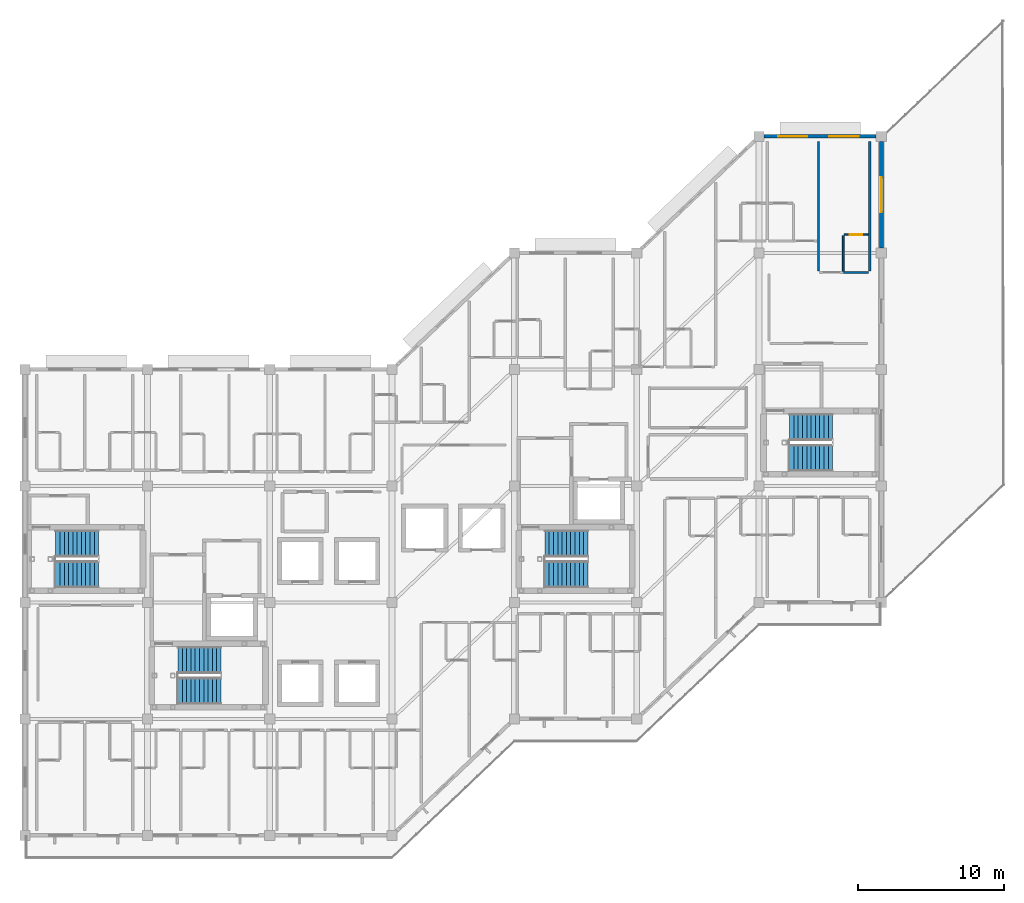
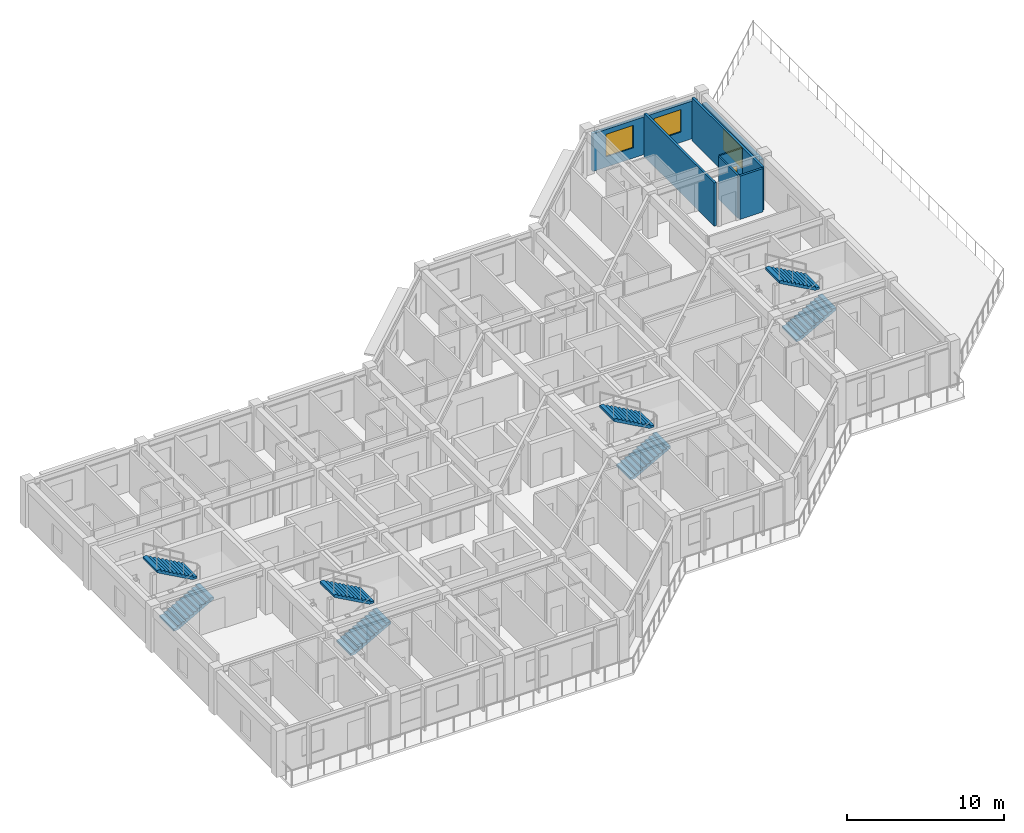
# One storey, part 13 of 16: 8 stair flights, 7 walls, 3 windows, 1 door, 4 openings, 4 elements without a shape of their own.
"""IFC4 building model written with IfcOpenShell, lengths in metres."""

from ifc_helpers import new_model, si_unit, direction, frame, frame_2d, origin, place, context, subcontext, project, spatial, polyline, rectangle, outline, extrude, material, layer, layer_set, type_object, element, fill, aggregate, save


model = new_model("IFC4")

# Units and contexts
model_context = context("Model", 3, precision=1e-05, world=origin(), true_north=direction((0.0, 1.0)))
body_context = subcontext(model_context, "Body", "Model", "MODEL_VIEW")
ifc_project = project(units=[si_unit("LENGTHUNIT", "METRE"), si_unit("AREAUNIT", "SQUARE_METRE"), si_unit("VOLUMEUNIT", "CUBIC_METRE"), si_unit("PLANEANGLEUNIT", "RADIAN"), si_unit("MASSUNIT", "GRAM", prefix="KILO")], contexts=[model_context])

# Site, building, storey
site_placement = place(None, origin())
site = spatial("IfcSite", under=ifc_project, at=site_placement, CompositionType="ELEMENT")
building_placement = place(site_placement, origin())
building = spatial("IfcBuilding", under=site, at=building_placement, Name="Naruveol Harbour Congress Hotel", CompositionType="ELEMENT")
storey_placement = place(building_placement, frame((0.0, 0.0, 28.800048828125)))
storey = spatial("IfcBuildingStorey", under=building, at=storey_placement, Name="L06", CompositionType="ELEMENT", Elevation=28.800048828125)

# Wall, opening, window
ifc_material_1 = material(Name="Precast concrete C40/50", Category="concrete")
ifc_layer_1 = layer(ifc_material_1, 0.280029296875)
ifc_layer_set_1 = layer_set([ifc_layer_1], Name="Precast concrete C40/50")
wall_type_1 = type_object("IfcWallType", Name="ARCHITECTURAL PRECAST FACADE WALL 280", PredefinedType="SOLIDWALL", material=ifc_layer_set_1)
wall_1_placement = place(storey_placement, frame((176.39990234375, 47.64990234375, 0.0), z_axis=(0.0, 0.0, 1.0), x_axis=(0.0, -1.0, 0.0)))
wall_1 = element("IfcWall", 1, at=wall_1_placement, inside=storey, type_object=wall_type_1, Name="Hotel east gable wall L06 EW-280", PredefinedType="SOLIDWALL", context=body_context, shape_type="SweptSolid", body=[
    extrude(rectangle(XDim=7.2998046875, YDim=0.280029296875, at=frame_2d((3.64990234375, 0.0))), origin(), (0.0, 0.0, 1.0), 2.699951171875),
])
opening_1_placement = place(wall_1_placement, frame((2.449951171875, 0.0, 0.5)))
opening_1 = element("IfcOpeningElement", 2, at=opening_1_placement, cuts=wall_1, Name="Opening W-07", PredefinedType="OPENING", context=body_context, shape_type="SweptSolid", body=[
    extrude(rectangle(XDim=2.39990234375, YDim=1.64990234375, at=frame_2d((1.199951171875, 0.824951171875))), frame((0.0, 0.14990234375, 0.0), z_axis=(0.0, -1.0, 0.0), x_axis=(1.0, 0.0, 0.0)), (0.0, 0.0, 1.0), 0.300048828125),
])
ifc_material_2 = material(Name="Low-E Triple Glazing in Thermal Aluminium", Category="aluminium")
window_type_1 = type_object("IfcWindowType", Name="CORNER SUITE WINDOW 2400X1650", PartitioningType="DOUBLE_PANEL_VERTICAL", PredefinedType="WINDOW", material=ifc_material_2)
window_1_placement = place(opening_1_placement, origin())
window_1 = element("IfcWindow", 3, at=window_1_placement, inside=storey, type_object=window_type_1, Name="Window W-07 #373", OverallHeight=1.64990234375, OverallWidth=2.39990234375, PartitioningType="DOUBLE_PANEL_VERTICAL", PredefinedType="WINDOW", context=body_context, shape_type="SweptSolid", body=[
    extrude(rectangle(XDim=2.39990234375, YDim=1.64990234375, at=frame_2d((1.199951171875, 0.824951171875))), frame((0.0, 0.030029296875, 0.0), z_axis=(0.0, -1.0, 0.0), x_axis=(1.0, 0.0, 0.0)), (0.0, 0.0, 1.0), 0.06005859375),
])
fill(opening_1, window_1)

# Wall
ifc_material_3 = material(Name="Moisture-Resistant Gypsum Partition", Category="gypsum")
ifc_layer_2 = layer(ifc_material_3, 0.114990234375)
ifc_layer_set_2 = layer_set([ifc_layer_2], Name="Moisture-Resistant Gypsum Partition")
wall_type_2 = type_object("IfcWallType", Name="BATHROOM MOISTURE PARTITION WALL 115", PredefinedType="PARTITIONING", material=ifc_layer_set_2)
wall_2_placement = place(storey_placement, frame((173.7900390625, 38.75, 0.0), z_axis=(0.0, 0.0, 1.0), x_axis=(0.0, 1.0, 0.0)))
element("IfcWall", 4, at=wall_2_placement, inside=storey, type_object=wall_type_2, Name="Bathroom west wall 0786 PW-115", PredefinedType="PARTITIONING", context=body_context, shape_type="SweptSolid", body=[
    extrude(rectangle(XDim=2.449951171875, YDim=0.114990234375, at=frame_2d((1.22509765625, 0.0))), origin(), (0.0, 0.0, 1.0), 3.364990234375),
])

# Wall, opening, door
wall_3_placement = place(storey_placement, frame((173.85009765625, 41.260009765625, 0.0), z_axis=(0.0, 0.0, 1.0), x_axis=(1.0, 0.0, 0.0)))
wall_3 = element("IfcWall", 5, at=wall_3_placement, inside=storey, type_object=wall_type_2, Name="Bathroom north wall 0786 PW-115", PredefinedType="PARTITIONING", context=body_context, shape_type="SweptSolid", body=[
    extrude(rectangle(XDim=1.64990234375, YDim=0.114990234375, at=frame_2d((0.824951171875, 0.0))), origin(), (0.0, 0.0, 1.0), 3.364990234375),
])
opening_2_placement = place(wall_3_placement, frame((0.39501953125, 0.0, 0.0)))
opening_2 = element("IfcOpeningElement", 6, at=opening_2_placement, cuts=wall_3, Name="Opening BD-RM0786", PredefinedType="OPENING", context=body_context, shape_type="SweptSolid", body=[
    extrude(rectangle(XDim=0.860107421875, YDim=2.1201171875, at=frame_2d((0.43017578125, 1.06005859375))), frame((0.0, 0.0673828125, 0.0), z_axis=(0.0, -1.0, 0.0), x_axis=(1.0, 0.0, 0.0)), (0.0, 0.0, 1.0), 0.135009765625),
])
ifc_material_4 = material(Name="Timber & Steel Acoustic Leaf", Category="steel")
door_type = type_object("IfcDoorType", Name="GUEST BATHROOM DOOR 860X2120", OperationType="NOTDEFINED", PredefinedType="DOOR", material=ifc_material_4)
door_placement = place(opening_2_placement, origin())
door = element("IfcDoor", 7, at=door_placement, inside=storey, type_object=door_type, Name="Bathroom Door 0786", OperationType="SINGLE_SWING_RIGHT", OverallHeight=2.1201171875, OverallWidth=0.860107421875, PredefinedType="DOOR", context=body_context, shape_type="SweptSolid", body=[
    extrude(rectangle(XDim=0.860107421875, YDim=2.1201171875, at=frame_2d((0.43017578125, 1.06005859375))), frame((0.0, 0.02490234375, 0.0), z_axis=(0.0, -1.0, 0.0), x_axis=(1.0, 0.0, 0.0)), (0.0, 0.0, 1.0), 0.050048828125),
])
fill(opening_2, door)

# Walls
ifc_material_5 = material(Name="Autoclaved Aerated Concrete Block", Category="concrete")
ifc_layer_3 = layer(ifc_material_5, 0.159912109375)
ifc_layer_set_3 = layer_set([ifc_layer_3], Name="Autoclaved Aerated Concrete Block")
wall_type_3 = type_object("IfcWallType", Name="HOTEL PARTY AND CORRIDOR WALL 160 EI60", PredefinedType="PARTITIONING", material=ifc_layer_set_3)
wall_4_placement = place(storey_placement, frame((173.800048828125, 38.659912109375, 0.0), z_axis=(0.0, 0.0, 1.0), x_axis=(1.0, 0.0, 0.0)))
element("IfcWall", 8, at=wall_4_placement, inside=storey, type_object=wall_type_3, Name="Corridor wall 0786B PW-160", PredefinedType="PARTITIONING", context=body_context, shape_type="SweptSolid", body=[
    extrude(rectangle(XDim=1.7099609375, YDim=0.159912109375, at=frame_2d((0.85498046875, 0.0))), origin(), (0.0, 0.0, 1.0), 3.364990234375),
])
for number, where, z_axis, x_axis, name in (
    (9, (172.080078125, 38.75, 0.0), (0.0, 0.0, 1.0), (0.0, 1.0, 0.0), "Hotel party wall 0786 PW-160"),
    (10, (175.60009765625, 38.75, 0.0), (0.0, 0.0, 1.0), (0.0, 1.0, 0.0), "Hotel end party wall 0786 PW-160"),
):
    element("IfcWall", number, at=place(storey_placement, frame(where, z_axis=z_axis, x_axis=x_axis)), inside=storey, type_object=wall_type_3, Name=name, PredefinedType="PARTITIONING", context=body_context, shape_type="SweptSolid", body=[
        extrude(rectangle(XDim=8.909912109375, YDim=0.159912109375, at=frame_2d((4.455078125, 0.0))), origin(), (0.0, 0.0, 1.0), 3.364990234375),
    ])

# Wall, openings, windows
ifc_material_6 = material(Name="Concrete C40/50", Category="concrete")
ifc_layer_4 = layer(ifc_material_6, 0.239990234375)
ifc_layer_set_4 = layer_set([ifc_layer_4], Name="Concrete C40/50")
wall_type_4 = type_object("IfcWallType", Name="INSULATED HOTEL SPANDREL WALL 240", PredefinedType="SOLIDWALL", material=ifc_layer_set_4)
wall_5_placement = place(storey_placement, frame((168.35009765625, 48.0, 0.0), z_axis=(0.0, 0.0, 1.0), x_axis=(1.0, 0.0, 0.0)))
wall_5 = element("IfcWall", 11, at=wall_5_placement, inside=storey, type_object=wall_type_4, Name="Hotel north bay wall L06 EW-240", PredefinedType="SOLIDWALL", context=body_context, shape_type="SweptSolid", body=[
    extrude(rectangle(XDim=7.699951171875, YDim=0.239990234375, at=frame_2d((3.85009765625, 0.0))), origin(), (0.0, 0.0, 1.0), 2.929931640625),
])
opening_3_placement = place(wall_5_placement, frame((0.969970703125, 0.0, 0.800048828125)))
opening_3 = element("IfcOpeningElement", 12, at=opening_3_placement, cuts=wall_5, Name="Opening W-05", PredefinedType="OPENING", context=body_context, shape_type="SweptSolid", body=[
    extrude(rectangle(XDim=2.0, YDim=1.75, at=frame_2d((1.0, 0.875))), frame((0.0, 0.1298828125, 0.0), z_axis=(0.0, -1.0, 0.0), x_axis=(1.0, 0.0, 0.0)), (0.0, 0.0, 1.0), 0.260009765625),
])
opening_4_placement = place(wall_5_placement, frame((4.489990234375, 0.0, 0.800048828125)))
opening_4 = element("IfcOpeningElement", 13, at=opening_4_placement, cuts=wall_5, Name="Opening W-05", PredefinedType="OPENING", context=body_context, shape_type="SweptSolid", body=[
    extrude(rectangle(XDim=2.0, YDim=1.75, at=frame_2d((1.0, 0.875))), frame((0.0, 0.1298828125, 0.0), z_axis=(0.0, -1.0, 0.0), x_axis=(1.0, 0.0, 0.0)), (0.0, 0.0, 1.0), 0.260009765625),
])
ifc_material_7 = material(Name="Low-E Triple Glazing in Thermal Aluminium", Category="aluminium")
window_type_2 = type_object("IfcWindowType", Name="GARDEN SUITE WINDOW 2000X1750", PartitioningType="DOUBLE_PANEL_VERTICAL", PredefinedType="WINDOW", material=ifc_material_7)
window_2_placement = place(opening_3_placement, origin())
window_2 = element("IfcWindow", 14, at=window_2_placement, inside=storey, type_object=window_type_2, Name="Window W-05 #371", OverallHeight=1.75, OverallWidth=2.0, PartitioningType="DOUBLE_PANEL_VERTICAL", PredefinedType="WINDOW", context=body_context, shape_type="SweptSolid", body=[
    extrude(rectangle(XDim=2.0, YDim=1.75, at=frame_2d((1.0, 0.875))), frame((0.0, 0.030029296875, 0.0), z_axis=(0.0, -1.0, 0.0), x_axis=(1.0, 0.0, 0.0)), (0.0, 0.0, 1.0), 0.06005859375),
])
fill(opening_3, window_2)
window_3_placement = place(opening_4_placement, origin())
window_3 = element("IfcWindow", 15, at=window_3_placement, inside=storey, type_object=window_type_2, Name="Window W-05 #372", OverallHeight=1.75, OverallWidth=2.0, PartitioningType="DOUBLE_PANEL_VERTICAL", PredefinedType="WINDOW", context=body_context, shape_type="SweptSolid", body=[
    extrude(rectangle(XDim=2.0, YDim=1.75, at=frame_2d((1.0, 0.875))), frame((0.0, 0.030029296875, 0.0), z_axis=(0.0, -1.0, 0.0), x_axis=(1.0, 0.0, 0.0)), (0.0, 0.0, 1.0), 0.06005859375),
])
fill(opening_4, window_3)

# Stair, stair flights
ifc_material_8 = material(Name="Concrete C40/50", Category="concrete")
stair_type = type_object("IfcStairType", Name="RC DOG LEG ESCAPE STAIR 1800W H3600", PredefinedType="HALF_TURN_STAIR", material=ifc_material_8)
stair_1_placement = place(storey_placement, origin())
stair_1 = element("IfcStair", 16, at=stair_1_placement, inside=storey, type_object=stair_type, Name="Special Escape Stair ST1 L06 to L07", PredefinedType="HALF_TURN_STAIR")
ifc_material_9 = material(Name="Concrete C40/50", Category="concrete")
stair_flight_type = type_object("IfcStairFlightType", Name="RC STRAIGHT STAIR FLIGHT 1800W R11", PredefinedType="STRAIGHT", material=ifc_material_9)
stair_flight_1_placement = place(storey_placement, frame((128.10009765625, 9.919921875, 0.0), z_axis=(0.0, 0.0, 1.0), x_axis=(1.0, 0.0, 0.0)))
stair_flight_1 = element("IfcStairFlight", 17, at=stair_flight_1_placement, type_object=stair_flight_type, Name="ST1 L06 lower flight", NumberOfRisers=11, NumberOfTreads=10, PredefinedType="STRAIGHT", RiserHeight=0.163636, TreadLength=0.295, context=body_context, shape_type="SweptSolid", body=[
    extrude(outline(polyline([(0.0, 0.0), (0.0, 0.16357421875), (0.294921875, 0.16357421875), (0.294921875, 0.327392578125), (0.590087890625, 0.327392578125), (0.590087890625, 0.490966796875), (0.885009765625, 0.490966796875), (0.885009765625, 0.654541015625), (1.179931640625, 0.654541015625), (1.179931640625, 0.818115234375), (1.47509765625, 0.818115234375), (1.47509765625, 0.98193359375), (1.77001953125, 0.98193359375), (1.77001953125, 1.1455078125), (2.06494140625, 1.1455078125), (2.06494140625, 1.30908203125), (2.360107421875, 1.30908203125), (2.360107421875, 1.47265625), (2.655029296875, 1.47265625), (2.655029296875, 1.636474609375), (2.949951171875, 1.636474609375), (2.949951171875, 1.800048828125), (2.949951171875, 1.45361328125), (0.32958984375, 0.0), (0.0, 0.0)])), frame((0.0, 0.89990234375, 0.0), z_axis=(0.0, -1.0, 0.0), x_axis=(1.0, 0.0, 0.0)), (0.0, 0.0, 1.0), 1.800048828125),
])
stair_flight_2_placement = place(storey_placement, frame((131.050048828125, 12.0400390625, 1.800048828125), z_axis=(0.0, 0.0, 1.0), x_axis=(-1.0, 0.0, 0.0)))
stair_flight_2 = element("IfcStairFlight", 18, at=stair_flight_2_placement, type_object=stair_flight_type, Name="ST1 L06 upper flight", NumberOfRisers=11, NumberOfTreads=10, PredefinedType="STRAIGHT", RiserHeight=0.163636, TreadLength=0.295, context=body_context, shape_type="SweptSolid", body=[
    extrude(outline(polyline([(0.0, 0.0), (0.0, 0.16357421875), (0.294921875, 0.16357421875), (0.294921875, 0.327392578125), (0.590087890625, 0.327392578125), (0.590087890625, 0.490966796875), (0.885009765625, 0.490966796875), (0.885009765625, 0.654541015625), (1.179931640625, 0.654541015625), (1.179931640625, 0.818115234375), (1.47509765625, 0.818115234375), (1.47509765625, 0.98193359375), (1.77001953125, 0.98193359375), (1.77001953125, 1.1455078125), (2.06494140625, 1.1455078125), (2.06494140625, 1.30908203125), (2.360107421875, 1.30908203125), (2.360107421875, 1.47265625), (2.655029296875, 1.47265625), (2.655029296875, 1.636474609375), (2.949951171875, 1.636474609375), (2.949951171875, 1.800048828125), (2.949951171875, 1.45361328125), (0.32958984375, 0.0), (0.0, 0.0)])), frame((0.0, 0.89990234375, 0.0), z_axis=(0.0, -1.0, 0.0), x_axis=(1.0, 0.0, 0.0)), (0.0, 0.0, 1.0), 1.800048828125),
])
aggregate(stair_1, [stair_flight_1, stair_flight_2])

stair_2_placement = place(storey_placement, origin())
stair_2 = element("IfcStair", 19, at=stair_2_placement, inside=storey, type_object=stair_type, Name="Special Escape Stair ST2 L06 to L07", PredefinedType="HALF_TURN_STAIR")
stair_flight_3_placement = place(storey_placement, frame((153.300048828125, 17.919921875, 0.0), z_axis=(0.0, 0.0, 1.0), x_axis=(1.0, 0.0, 0.0)))
stair_flight_3 = element("IfcStairFlight", 20, at=stair_flight_3_placement, type_object=stair_flight_type, Name="ST2 L06 lower flight", NumberOfRisers=11, NumberOfTreads=10, PredefinedType="STRAIGHT", RiserHeight=0.163636, TreadLength=0.295, context=body_context, shape_type="SweptSolid", body=[
    extrude(outline(polyline([(0.0, 0.0), (0.0, 0.16357421875), (0.294921875, 0.16357421875), (0.294921875, 0.327392578125), (0.590087890625, 0.327392578125), (0.590087890625, 0.490966796875), (0.885009765625, 0.490966796875), (0.885009765625, 0.654541015625), (1.179931640625, 0.654541015625), (1.179931640625, 0.818115234375), (1.47509765625, 0.818115234375), (1.47509765625, 0.98193359375), (1.77001953125, 0.98193359375), (1.77001953125, 1.1455078125), (2.06494140625, 1.1455078125), (2.06494140625, 1.30908203125), (2.360107421875, 1.30908203125), (2.360107421875, 1.47265625), (2.655029296875, 1.47265625), (2.655029296875, 1.636474609375), (2.949951171875, 1.636474609375), (2.949951171875, 1.800048828125), (2.949951171875, 1.45361328125), (0.32958984375, 0.0), (0.0, 0.0)])), frame((0.0, 0.89990234375, 0.0), z_axis=(0.0, -1.0, 0.0), x_axis=(1.0, 0.0, 0.0)), (0.0, 0.0, 1.0), 1.800048828125),
])
stair_flight_4_placement = place(storey_placement, frame((156.25, 20.0400390625, 1.800048828125), z_axis=(0.0, 0.0, 1.0), x_axis=(-1.0, 0.0, 0.0)))
stair_flight_4 = element("IfcStairFlight", 21, at=stair_flight_4_placement, type_object=stair_flight_type, Name="ST2 L06 upper flight", NumberOfRisers=11, NumberOfTreads=10, PredefinedType="STRAIGHT", RiserHeight=0.163636, TreadLength=0.295, context=body_context, shape_type="SweptSolid", body=[
    extrude(outline(polyline([(0.0, 0.0), (0.0, 0.16357421875), (0.294921875, 0.16357421875), (0.294921875, 0.327392578125), (0.590087890625, 0.327392578125), (0.590087890625, 0.490966796875), (0.885009765625, 0.490966796875), (0.885009765625, 0.654541015625), (1.179931640625, 0.654541015625), (1.179931640625, 0.818115234375), (1.47509765625, 0.818115234375), (1.47509765625, 0.98193359375), (1.77001953125, 0.98193359375), (1.77001953125, 1.1455078125), (2.06494140625, 1.1455078125), (2.06494140625, 1.30908203125), (2.360107421875, 1.30908203125), (2.360107421875, 1.47265625), (2.655029296875, 1.47265625), (2.655029296875, 1.636474609375), (2.949951171875, 1.636474609375), (2.949951171875, 1.800048828125), (2.949951171875, 1.45361328125), (0.32958984375, 0.0), (0.0, 0.0)])), frame((0.0, 0.89990234375, 0.0), z_axis=(0.0, -1.0, 0.0), x_axis=(1.0, 0.0, 0.0)), (0.0, 0.0, 1.0), 1.800048828125),
])
aggregate(stair_2, [stair_flight_3, stair_flight_4])

stair_3_placement = place(storey_placement, origin())
stair_3 = element("IfcStair", 22, at=stair_3_placement, inside=storey, type_object=stair_type, Name="Special Escape Stair ST3 L06 to L07", PredefinedType="HALF_TURN_STAIR")
stair_flight_5_placement = place(storey_placement, frame((119.699951171875, 17.919921875, 0.0), z_axis=(0.0, 0.0, 1.0), x_axis=(1.0, 0.0, 0.0)))
stair_flight_5 = element("IfcStairFlight", 23, at=stair_flight_5_placement, type_object=stair_flight_type, Name="ST3 L06 lower flight", NumberOfRisers=11, NumberOfTreads=10, PredefinedType="STRAIGHT", RiserHeight=0.163636, TreadLength=0.295, context=body_context, shape_type="SweptSolid", body=[
    extrude(outline(polyline([(0.0, 0.0), (0.0, 0.16357421875), (0.294921875, 0.16357421875), (0.294921875, 0.327392578125), (0.590087890625, 0.327392578125), (0.590087890625, 0.490966796875), (0.885009765625, 0.490966796875), (0.885009765625, 0.654541015625), (1.179931640625, 0.654541015625), (1.179931640625, 0.818115234375), (1.47509765625, 0.818115234375), (1.47509765625, 0.98193359375), (1.77001953125, 0.98193359375), (1.77001953125, 1.1455078125), (2.06494140625, 1.1455078125), (2.06494140625, 1.30908203125), (2.360107421875, 1.30908203125), (2.360107421875, 1.47265625), (2.655029296875, 1.47265625), (2.655029296875, 1.636474609375), (2.949951171875, 1.636474609375), (2.949951171875, 1.800048828125), (2.949951171875, 1.45361328125), (0.32958984375, 0.0), (0.0, 0.0)])), frame((0.0, 0.89990234375, 0.0), z_axis=(0.0, -1.0, 0.0), x_axis=(1.0, 0.0, 0.0)), (0.0, 0.0, 1.0), 1.800048828125),
])
stair_flight_6_placement = place(storey_placement, frame((122.64990234375, 20.0400390625, 1.800048828125), z_axis=(0.0, 0.0, 1.0), x_axis=(-1.0, 0.0, 0.0)))
stair_flight_6 = element("IfcStairFlight", 24, at=stair_flight_6_placement, type_object=stair_flight_type, Name="ST3 L06 upper flight", NumberOfRisers=11, NumberOfTreads=10, PredefinedType="STRAIGHT", RiserHeight=0.163636, TreadLength=0.295, context=body_context, shape_type="SweptSolid", body=[
    extrude(outline(polyline([(0.0, 0.0), (0.0, 0.16357421875), (0.294921875, 0.16357421875), (0.294921875, 0.327392578125), (0.590087890625, 0.327392578125), (0.590087890625, 0.490966796875), (0.885009765625, 0.490966796875), (0.885009765625, 0.654541015625), (1.179931640625, 0.654541015625), (1.179931640625, 0.818115234375), (1.47509765625, 0.818115234375), (1.47509765625, 0.98193359375), (1.77001953125, 0.98193359375), (1.77001953125, 1.1455078125), (2.06494140625, 1.1455078125), (2.06494140625, 1.30908203125), (2.360107421875, 1.30908203125), (2.360107421875, 1.47265625), (2.655029296875, 1.47265625), (2.655029296875, 1.636474609375), (2.949951171875, 1.636474609375), (2.949951171875, 1.800048828125), (2.949951171875, 1.45361328125), (0.32958984375, 0.0), (0.0, 0.0)])), frame((0.0, 0.89990234375, 0.0), z_axis=(0.0, -1.0, 0.0), x_axis=(1.0, 0.0, 0.0)), (0.0, 0.0, 1.0), 1.800048828125),
])
aggregate(stair_3, [stair_flight_5, stair_flight_6])

stair_4_placement = place(storey_placement, origin())
stair_4 = element("IfcStair", 25, at=stair_4_placement, inside=storey, type_object=stair_type, Name="Special Escape Stair ST4 L06 to L07", PredefinedType="HALF_TURN_STAIR")
stair_flight_7_placement = place(storey_placement, frame((170.10009765625, 25.919921875, 0.0), z_axis=(0.0, 0.0, 1.0), x_axis=(1.0, 0.0, 0.0)))
stair_flight_7 = element("IfcStairFlight", 26, at=stair_flight_7_placement, type_object=stair_flight_type, Name="ST4 L06 lower flight", NumberOfRisers=11, NumberOfTreads=10, PredefinedType="STRAIGHT", RiserHeight=0.163636, TreadLength=0.295, context=body_context, shape_type="SweptSolid", body=[
    extrude(outline(polyline([(0.0, 0.0), (0.0, 0.16357421875), (0.294921875, 0.16357421875), (0.294921875, 0.327392578125), (0.590087890625, 0.327392578125), (0.590087890625, 0.490966796875), (0.885009765625, 0.490966796875), (0.885009765625, 0.654541015625), (1.179931640625, 0.654541015625), (1.179931640625, 0.818115234375), (1.47509765625, 0.818115234375), (1.47509765625, 0.98193359375), (1.77001953125, 0.98193359375), (1.77001953125, 1.1455078125), (2.06494140625, 1.1455078125), (2.06494140625, 1.30908203125), (2.360107421875, 1.30908203125), (2.360107421875, 1.47265625), (2.655029296875, 1.47265625), (2.655029296875, 1.636474609375), (2.949951171875, 1.636474609375), (2.949951171875, 1.800048828125), (2.949951171875, 1.45361328125), (0.32958984375, 0.0), (0.0, 0.0)])), frame((0.0, 0.89990234375, 0.0), z_axis=(0.0, -1.0, 0.0), x_axis=(1.0, 0.0, 0.0)), (0.0, 0.0, 1.0), 1.800048828125),
])
stair_flight_8_placement = place(storey_placement, frame((173.050048828125, 28.0400390625, 1.800048828125), z_axis=(0.0, 0.0, 1.0), x_axis=(-1.0, 0.0, 0.0)))
stair_flight_8 = element("IfcStairFlight", 27, at=stair_flight_8_placement, type_object=stair_flight_type, Name="ST4 L06 upper flight", NumberOfRisers=11, NumberOfTreads=10, PredefinedType="STRAIGHT", RiserHeight=0.163636, TreadLength=0.295, context=body_context, shape_type="SweptSolid", body=[
    extrude(outline(polyline([(0.0, 0.0), (0.0, 0.16357421875), (0.294921875, 0.16357421875), (0.294921875, 0.327392578125), (0.590087890625, 0.327392578125), (0.590087890625, 0.490966796875), (0.885009765625, 0.490966796875), (0.885009765625, 0.654541015625), (1.179931640625, 0.654541015625), (1.179931640625, 0.818115234375), (1.47509765625, 0.818115234375), (1.47509765625, 0.98193359375), (1.77001953125, 0.98193359375), (1.77001953125, 1.1455078125), (2.06494140625, 1.1455078125), (2.06494140625, 1.30908203125), (2.360107421875, 1.30908203125), (2.360107421875, 1.47265625), (2.655029296875, 1.47265625), (2.655029296875, 1.636474609375), (2.949951171875, 1.636474609375), (2.949951171875, 1.800048828125), (2.949951171875, 1.45361328125), (0.32958984375, 0.0), (0.0, 0.0)])), frame((0.0, 0.89990234375, 0.0), z_axis=(0.0, -1.0, 0.0), x_axis=(1.0, 0.0, 0.0)), (0.0, 0.0, 1.0), 1.800048828125),
])
aggregate(stair_4, [stair_flight_7, stair_flight_8])

save(model, "model.ifc")
